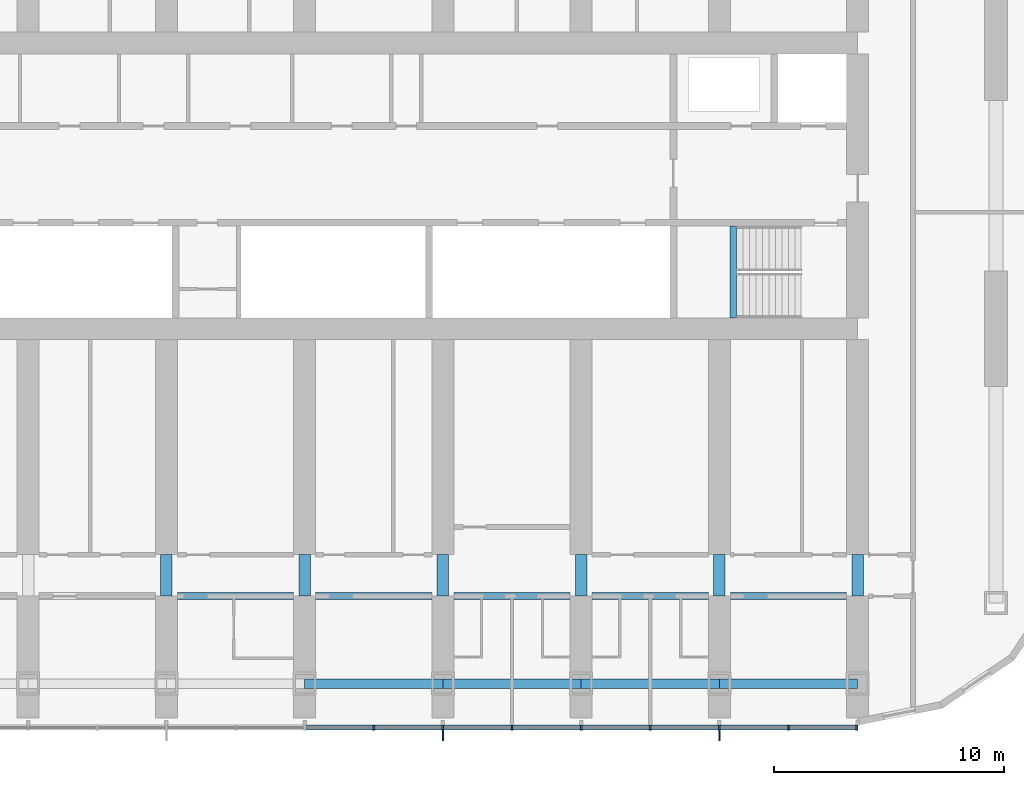
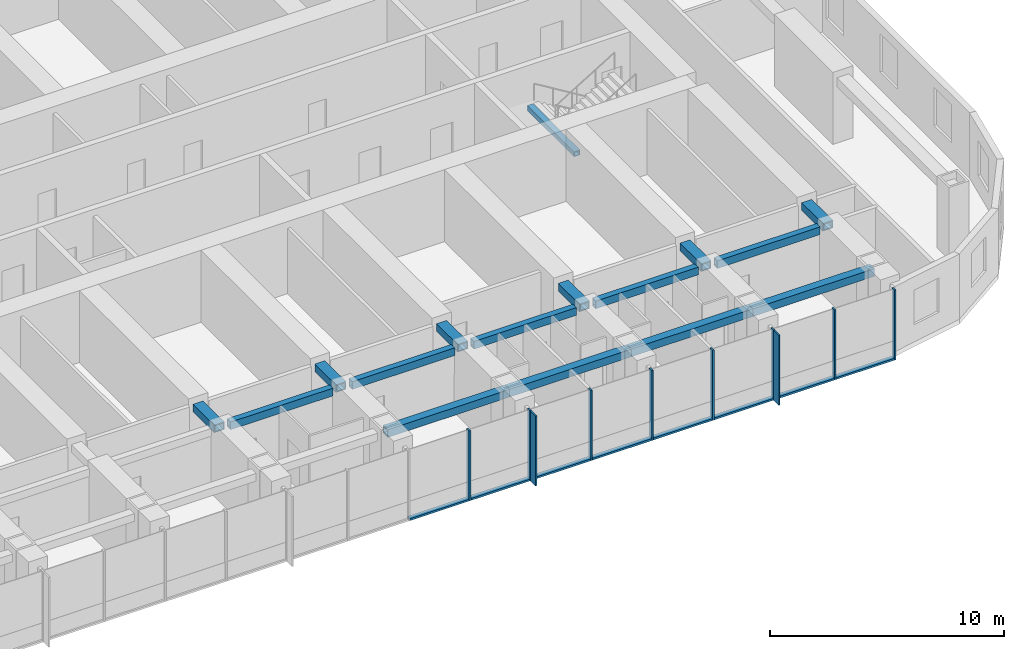
# One storey, part 3 of 20: 18 members, 16 beams, 1 element without a shape of its own.
"""IFC4 building model written with IfcOpenShell, lengths in metres."""

from ifc_helpers import new_model, si_unit, direction, frame, origin, origin_2d, place, context, subcontext, project, spatial, rectangle, hollow_rectangle, extrude, material, material_profile, profile_set, type_object, element, aggregate, save


model = new_model("IFC4")

# Units and contexts
model_context = context("Model", 3, precision=1e-05, world=origin(), true_north=direction((0.0, 1.0)))
body_context = subcontext(model_context, "Body", "Model", "MODEL_VIEW")
ifc_project = project(units=[si_unit("LENGTHUNIT", "METRE"), si_unit("AREAUNIT", "SQUARE_METRE"), si_unit("VOLUMEUNIT", "CUBIC_METRE"), si_unit("PLANEANGLEUNIT", "RADIAN"), si_unit("MASSUNIT", "GRAM", prefix="KILO")], contexts=[model_context])

# Site, building, storey
site_placement = place(None, origin())
site = spatial("IfcSite", under=ifc_project, at=site_placement, CompositionType="ELEMENT")
building_placement = place(site_placement, origin())
building = spatial("IfcBuilding", under=site, at=building_placement, Name="Orbita Commons", CompositionType="ELEMENT")
storey_placement = place(building_placement, frame((0.0, 0.0, 129.39990234375)))
storey = spatial("IfcBuildingStorey", under=building, at=storey_placement, Name="L32", CompositionType="ELEMENT", Elevation=129.39990234375)

# Curtain wall, members
ifc_material_1 = material(Name="Anodised aluminium frame, pale silver", Category="aluminium")
curtain_wall_type = type_object("IfcCurtainWallType", Name="Unitised curtain wall CW-T, vision and spandrel", PredefinedType="NOTDEFINED", material=ifc_material_1)
curtain_wall_placement = place(storey_placement, origin())
curtain_wall = element("IfcCurtainWall", 1, at=curtain_wall_placement, inside=storey, type_object=curtain_wall_type, Name="Curtain wall south L32", PredefinedType="NOTDEFINED")
ifc_material_2 = material(Name="Anodised aluminium, pale silver", Category="aluminium")
ifc_material_profile_1 = material_profile(ifc_material_2, rectangle(XDim=0.080078125, YDim=0.219970703125, at=origin_2d()), Name="AL 80x220")
ifc_profile_set_1 = profile_set([ifc_material_profile_1], Name="Anodised aluminium, pale silver")
member_type_1 = type_object("IfcMemberType", Name="Curtain wall mullion 80x220", PredefinedType="MULLION", material=ifc_profile_set_1)
member_1_placement = place(storey_placement, frame((45.0, 8.489990234375, -0.25), z_axis=(0.0, 0.0, 1.0), x_axis=(1.0, 0.0, 0.0)))
member_1 = element("IfcMember", 2, at=member_1_placement, type_object=member_type_1, Name="Mullion 12 CW-L32-S", PredefinedType="MULLION", context=body_context, shape_type="SweptSolid", body=[
    extrude(rectangle(XDim=0.080078125, YDim=0.219970703125, at=origin_2d()), origin(), (0.0, 0.0, 1.0), 3.650146484375),
])
member_2_placement = place(storey_placement, frame((48.0, 8.489990234375, -0.25), z_axis=(0.0, 0.0, 1.0), x_axis=(1.0, 0.0, 0.0)))
member_2 = element("IfcMember", 3, at=member_2_placement, type_object=member_type_1, Name="Mullion 13 CW-L32-S", PredefinedType="MULLION", context=body_context, shape_type="SweptSolid", body=[
    extrude(rectangle(XDim=0.080078125, YDim=0.219970703125, at=origin_2d()), origin(), (0.0, 0.0, 1.0), 3.650146484375),
])
member_3_placement = place(storey_placement, frame((51.0, 8.489990234375, -0.25), z_axis=(0.0, 0.0, 1.0), x_axis=(1.0, 0.0, 0.0)))
member_3 = element("IfcMember", 4, at=member_3_placement, type_object=member_type_1, Name="Mullion 14 CW-L32-S", PredefinedType="MULLION", context=body_context, shape_type="SweptSolid", body=[
    extrude(rectangle(XDim=0.080078125, YDim=0.219970703125, at=origin_2d()), origin(), (0.0, 0.0, 1.0), 3.650146484375),
])
member_4_placement = place(storey_placement, frame((54.0, 8.489990234375, -0.25), z_axis=(0.0, 0.0, 1.0), x_axis=(1.0, 0.0, 0.0)))
member_4 = element("IfcMember", 5, at=member_4_placement, type_object=member_type_1, Name="Mullion 15 CW-L32-S", PredefinedType="MULLION", context=body_context, shape_type="SweptSolid", body=[
    extrude(rectangle(XDim=0.080078125, YDim=0.219970703125, at=origin_2d()), origin(), (0.0, 0.0, 1.0), 3.650146484375),
])
member_5_placement = place(storey_placement, frame((57.0, 8.489990234375, -0.25), z_axis=(0.0, 0.0, 1.0), x_axis=(1.0, 0.0, 0.0)))
member_5 = element("IfcMember", 6, at=member_5_placement, type_object=member_type_1, Name="Mullion 16 CW-L32-S", PredefinedType="MULLION", context=body_context, shape_type="SweptSolid", body=[
    extrude(rectangle(XDim=0.080078125, YDim=0.219970703125, at=origin_2d()), origin(), (0.0, 0.0, 1.0), 3.650146484375),
])
member_6_placement = place(storey_placement, frame((60.0, 8.489990234375, -0.25), z_axis=(0.0, 0.0, 1.0), x_axis=(1.0, 0.0, 0.0)))
member_6 = element("IfcMember", 7, at=member_6_placement, type_object=member_type_1, Name="Mullion 17 CW-L32-S", PredefinedType="MULLION", context=body_context, shape_type="SweptSolid", body=[
    extrude(rectangle(XDim=0.080078125, YDim=0.219970703125, at=origin_2d()), origin(), (0.0, 0.0, 1.0), 3.650146484375),
])
member_7_placement = place(storey_placement, frame((63.0, 8.489990234375, -0.25), z_axis=(0.0, 0.0, 1.0), x_axis=(1.0, 0.0, 0.0)))
member_7 = element("IfcMember", 8, at=member_7_placement, type_object=member_type_1, Name="Mullion 18 CW-L32-S", PredefinedType="MULLION", context=body_context, shape_type="SweptSolid", body=[
    extrude(rectangle(XDim=0.080078125, YDim=0.219970703125, at=origin_2d()), origin(), (0.0, 0.0, 1.0), 3.650146484375),
])
member_8_placement = place(storey_placement, frame((65.9599609375, 8.489990234375, -0.25), z_axis=(0.0, 0.0, 1.0), x_axis=(1.0, 0.0, 0.0)))
member_8 = element("IfcMember", 9, at=member_8_placement, type_object=member_type_1, Name="Mullion 19 CW-L32-S", PredefinedType="MULLION", context=body_context, shape_type="SweptSolid", body=[
    extrude(rectangle(XDim=0.080078125, YDim=0.219970703125, at=origin_2d()), origin(), (0.0, 0.0, 1.0), 3.650146484375),
])
ifc_material_3 = material(Name="Anodised aluminium, pale silver", Category="aluminium")
ifc_material_profile_2 = material_profile(ifc_material_3, rectangle(XDim=0.219970703125, YDim=0.10009765625, at=origin_2d()), Name="AL 220x100")
ifc_profile_set_2 = profile_set([ifc_material_profile_2], Name="Anodised aluminium, pale silver")
member_type_2 = type_object("IfcMemberType", Name="Curtain wall stack transom 220x100", PredefinedType="USERDEFINED", material=ifc_profile_set_2)
member_9_placement = place(storey_placement, frame((42.0400390625, 8.489990234375, -0.199951171875), z_axis=(1.0, 0.0, 0.0), x_axis=(0.0, 1.0, 0.0)))
member_9 = element("IfcMember", 10, at=member_9_placement, type_object=member_type_2, Name="Transom 11.1 CW-L32-S", ObjectType="TRANSOM", PredefinedType="USERDEFINED", context=body_context, shape_type="SweptSolid", body=[
    extrude(rectangle(XDim=0.219970703125, YDim=0.10009765625, at=origin_2d()), origin(), (0.0, 0.0, 1.0), 2.919921875),
])
member_10_placement = place(storey_placement, frame((45.0400390625, 8.489990234375, -0.199951171875), z_axis=(1.0, 0.0, 0.0), x_axis=(0.0, 1.0, 0.0)))
member_10 = element("IfcMember", 11, at=member_10_placement, type_object=member_type_2, Name="Transom 12.1 CW-L32-S", ObjectType="TRANSOM", PredefinedType="USERDEFINED", context=body_context, shape_type="SweptSolid", body=[
    extrude(rectangle(XDim=0.219970703125, YDim=0.10009765625, at=origin_2d()), origin(), (0.0, 0.0, 1.0), 2.919921875),
])
member_11_placement = place(storey_placement, frame((48.0400390625, 8.489990234375, -0.199951171875), z_axis=(1.0, 0.0, 0.0), x_axis=(0.0, 1.0, 0.0)))
member_11 = element("IfcMember", 12, at=member_11_placement, type_object=member_type_2, Name="Transom 13.1 CW-L32-S", ObjectType="TRANSOM", PredefinedType="USERDEFINED", context=body_context, shape_type="SweptSolid", body=[
    extrude(rectangle(XDim=0.219970703125, YDim=0.10009765625, at=origin_2d()), origin(), (0.0, 0.0, 1.0), 2.919921875),
])
member_12_placement = place(storey_placement, frame((51.0400390625, 8.489990234375, -0.199951171875), z_axis=(1.0, 0.0, 0.0), x_axis=(0.0, 1.0, 0.0)))
member_12 = element("IfcMember", 13, at=member_12_placement, type_object=member_type_2, Name="Transom 14.1 CW-L32-S", ObjectType="TRANSOM", PredefinedType="USERDEFINED", context=body_context, shape_type="SweptSolid", body=[
    extrude(rectangle(XDim=0.219970703125, YDim=0.10009765625, at=origin_2d()), origin(), (0.0, 0.0, 1.0), 2.919921875),
])
member_13_placement = place(storey_placement, frame((54.0400390625, 8.489990234375, -0.199951171875), z_axis=(1.0, 0.0, 0.0), x_axis=(0.0, 1.0, 0.0)))
member_13 = element("IfcMember", 14, at=member_13_placement, type_object=member_type_2, Name="Transom 15.1 CW-L32-S", ObjectType="TRANSOM", PredefinedType="USERDEFINED", context=body_context, shape_type="SweptSolid", body=[
    extrude(rectangle(XDim=0.219970703125, YDim=0.10009765625, at=origin_2d()), origin(), (0.0, 0.0, 1.0), 2.919921875),
])
member_14_placement = place(storey_placement, frame((57.0400390625, 8.489990234375, -0.199951171875), z_axis=(1.0, 0.0, 0.0), x_axis=(0.0, 1.0, 0.0)))
member_14 = element("IfcMember", 15, at=member_14_placement, type_object=member_type_2, Name="Transom 16.1 CW-L32-S", ObjectType="TRANSOM", PredefinedType="USERDEFINED", context=body_context, shape_type="SweptSolid", body=[
    extrude(rectangle(XDim=0.219970703125, YDim=0.10009765625, at=origin_2d()), origin(), (0.0, 0.0, 1.0), 2.919921875),
])
member_15_placement = place(storey_placement, frame((60.0400390625, 8.489990234375, -0.199951171875), z_axis=(1.0, 0.0, 0.0), x_axis=(0.0, 1.0, 0.0)))
member_15 = element("IfcMember", 16, at=member_15_placement, type_object=member_type_2, Name="Transom 17.1 CW-L32-S", ObjectType="TRANSOM", PredefinedType="USERDEFINED", context=body_context, shape_type="SweptSolid", body=[
    extrude(rectangle(XDim=0.219970703125, YDim=0.10009765625, at=origin_2d()), origin(), (0.0, 0.0, 1.0), 2.919921875),
])
member_16_placement = place(storey_placement, frame((63.0400390625, 8.489990234375, -0.199951171875), z_axis=(1.0, 0.0, 0.0), x_axis=(0.0, 1.0, 0.0)))
member_16 = element("IfcMember", 17, at=member_16_placement, type_object=member_type_2, Name="Transom 18.1 CW-L32-S", ObjectType="TRANSOM", PredefinedType="USERDEFINED", context=body_context, shape_type="SweptSolid", body=[
    extrude(rectangle(XDim=0.219970703125, YDim=0.10009765625, at=origin_2d()), origin(), (0.0, 0.0, 1.0), 2.8798828125),
])

# Beams
ifc_material_4 = material(Name="Steel ASTM A572 Gr 50 welded plate", Category="steel")
ifc_material_profile_3 = material_profile(ifc_material_4, hollow_rectangle(XDim=0.300048828125, YDim=0.25, WallThickness=0.02490234375, at=origin_2d()), Name="BOX 250x300x25")
ifc_profile_set_3 = profile_set([ifc_material_profile_3], Name="Steel ASTM A572 Gr 50 welded plate")
beam_type_1 = type_object("IfcBeamType", Name="Stair landing beam steel BOX 250x300x25", PredefinedType="BEAM", material=ifc_profile_set_3)
beam_placement = place(storey_placement, frame((60.60009765625, 26.260009765625, 1.550048828125), z_axis=(0.0, 1.0, 0.0), x_axis=(-1.0, 0.0, 0.0)))
element("IfcBeam", 18, at=beam_placement, inside=storey, type_object=beam_type_1, Name="Stair S2 landing beam L32 1", PredefinedType="BEAM", context=body_context, shape_type="SweptSolid", body=[
    extrude(hollow_rectangle(XDim=0.300048828125, YDim=0.25, WallThickness=0.02490234375, at=origin_2d()), origin(), (0.0, 0.0, 1.0), 4.0048828125),
])
ifc_material_5 = material(Name="Steel ASTM A572 Gr 50 welded plate", Category="steel")
ifc_material_profile_4 = material_profile(ifc_material_5, hollow_rectangle(XDim=0.300048828125, YDim=0.39990234375, WallThickness=0.0400390625, at=origin_2d()), Name="BOX 400x300x40")
ifc_profile_set_4 = profile_set([ifc_material_profile_4], Name="Steel ASTM A572 Gr 50 welded plate")
beam_type_2 = type_object("IfcBeamType", Name="Steel corridor link BOX 400x300x40", PredefinedType="BEAM", material=ifc_profile_set_4)
for number, where, z_axis, x_axis, name in (
    (19, (36.47509765625, 14.199951171875, 3.2001953125), (1.0, 0.0, 0.0), (0.0, 1.0, 0.0), "Corridor beam SA 7-8 L32"),
    (20, (42.47509765625, 14.199951171875, 3.2001953125), (1.0, 0.0, 0.0), (0.0, 1.0, 0.0), "Corridor beam SA 8-9 L32"),
    (21, (48.47509765625, 14.199951171875, 3.2001953125), (1.0, 0.0, 0.0), (0.0, 1.0, 0.0), "Corridor beam SA 9-10 L32"),
    (22, (54.47509765625, 14.199951171875, 3.2001953125), (1.0, 0.0, 0.0), (0.0, 1.0, 0.0), "Corridor beam SA 10-11 L32"),
    (23, (60.47509765625, 14.199951171875, 3.2001953125), (1.0, 0.0, 0.0), (0.0, 1.0, 0.0), "Corridor beam SA 11-12 L32"),
):
    element("IfcBeam", number, at=place(storey_placement, frame(where, z_axis=z_axis, x_axis=x_axis)), inside=storey, type_object=beam_type_2, Name=name, PredefinedType="BEAM", context=body_context, shape_type="SweptSolid", body=[
        extrude(hollow_rectangle(XDim=0.300048828125, YDim=0.39990234375, WallThickness=0.0400390625, at=origin_2d()), origin(), (0.0, 0.0, 1.0), 5.0498046875),
    ])
ifc_material_6 = material(Name="Steel ASTM A572 Gr 50 welded plate", Category="steel")
ifc_material_profile_5 = material_profile(ifc_material_6, hollow_rectangle(XDim=0.5, YDim=0.39990234375, WallThickness=0.050048828125, at=origin_2d()), Name="BOX 400x500x50")
ifc_profile_set_5 = profile_set([ifc_material_profile_5], Name="Steel ASTM A572 Gr 50 welded plate")
beam_type_3 = type_object("IfcBeamType", Name="Steel coupling link BOX 400x500x50", PredefinedType="LINTEL", material=ifc_profile_set_5)
for number, where, z_axis, x_axis, name in (
    (24, (36.0, 14.199951171875, 3.2001953125), (0.0, 1.0, 0.0), (-1.0, 0.0, 0.0), "Coupling beam 7 south L32"),
    (25, (42.0, 14.199951171875, 3.2001953125), (0.0, 1.0, 0.0), (-1.0, 0.0, 0.0), "Coupling beam 8 south L32"),
    (26, (48.0, 14.199951171875, 3.2001953125), (0.0, 1.0, 0.0), (-1.0, 0.0, 0.0), "Coupling beam 9 south L32"),
    (27, (54.0, 14.199951171875, 3.2001953125), (0.0, 1.0, 0.0), (-1.0, 0.0, 0.0), "Coupling beam 10 south L32"),
    (28, (60.0, 14.199951171875, 3.2001953125), (0.0, 1.0, 0.0), (-1.0, 0.0, 0.0), "Coupling beam 11 south L32"),
    (29, (66.0, 14.199951171875, 3.2001953125), (0.0, 1.0, 0.0), (-1.0, 0.0, 0.0), "Coupling beam 12 south L32"),
):
    element("IfcBeam", number, at=place(storey_placement, frame(where, z_axis=z_axis, x_axis=x_axis)), inside=storey, type_object=beam_type_3, Name=name, PredefinedType="LINTEL", context=body_context, shape_type="SweptSolid", body=[
        extrude(hollow_rectangle(XDim=0.5, YDim=0.39990234375, WallThickness=0.050048828125, at=origin_2d()), origin(), (0.0, 0.0, 1.0), 1.800048828125),
    ])
ifc_material_7 = material(Name="Steel ASTM A572 Gr 50 welded plate", Category="steel")
ifc_material_profile_6 = material_profile(ifc_material_7, hollow_rectangle(XDim=0.39990234375, YDim=0.39990234375, WallThickness=0.0400390625, at=origin_2d()), Name="BOX 400x400x40")
ifc_profile_set_6 = profile_set([ifc_material_profile_6], Name="Steel ASTM A572 Gr 50 welded plate")
beam_type_4 = type_object("IfcBeamType", Name="Steel spandrel BOX 400x400x40", PredefinedType="SPANDREL", material=ifc_profile_set_6)
for number, where, z_axis, x_axis, name in (
    (30, (42.0, 10.39990234375, 3.2001953125), (1.0, 0.0, 0.0), (0.0, 1.0, 0.0), "Spandrel beam B 8-9 L32"),
    (31, (48.0, 10.39990234375, 3.2001953125), (1.0, 0.0, 0.0), (0.0, 1.0, 0.0), "Spandrel beam B 9-10 L32"),
    (32, (54.0, 10.39990234375, 3.2001953125), (1.0, 0.0, 0.0), (0.0, 1.0, 0.0), "Spandrel beam B 10-11 L32"),
    (33, (60.0, 10.39990234375, 3.2001953125), (1.0, 0.0, 0.0), (0.0, 1.0, 0.0), "Spandrel beam B 11-12 L32"),
):
    element("IfcBeam", number, at=place(storey_placement, frame(where, z_axis=z_axis, x_axis=x_axis)), inside=storey, type_object=beam_type_4, Name=name, PredefinedType="SPANDREL", context=body_context, shape_type="SweptSolid", body=[
        extrude(hollow_rectangle(XDim=0.39990234375, YDim=0.39990234375, WallThickness=0.0400390625, at=origin_2d()), origin(), (0.0, 0.0, 1.0), 6.0),
    ])

# Member
ifc_material_8 = material(Name="Anodised aluminium, pale silver", Category="aluminium")
ifc_material_profile_7 = material_profile(ifc_material_8, rectangle(XDim=0.06005859375, YDim=0.449951171875, at=origin_2d()), Name="FIN 60x450")
ifc_profile_set_7 = profile_set([ifc_material_profile_7], Name="Anodised aluminium, pale silver")
member_type_3 = type_object("IfcMemberType", Name="Vertical fin 60x450 pale aluminium", PredefinedType="USERDEFINED", material=ifc_profile_set_7)
member_17_placement = place(storey_placement, frame((48.0, 8.155029296875, -0.25), z_axis=(0.0, 0.0, 1.0), x_axis=(1.0, 0.0, 0.0)))
member_17 = element("IfcMember", 34, at=member_17_placement, type_object=member_type_3, Name="Fin 13 CW-L32-S", ObjectType="FIN", PredefinedType="USERDEFINED", context=body_context, shape_type="SweptSolid", body=[
    extrude(rectangle(XDim=0.06005859375, YDim=0.449951171875, at=origin_2d()), origin(), (0.0, 0.0, 1.0), 3.650146484375),
])

member_18_placement = place(storey_placement, frame((60.0, 8.155029296875, -0.25), z_axis=(0.0, 0.0, 1.0), x_axis=(1.0, 0.0, 0.0)))
member_18 = element("IfcMember", 35, at=member_18_placement, type_object=member_type_3, Name="Fin 17 CW-L32-S", ObjectType="FIN", PredefinedType="USERDEFINED", context=body_context, shape_type="SweptSolid", body=[
    extrude(rectangle(XDim=0.06005859375, YDim=0.449951171875, at=origin_2d()), origin(), (0.0, 0.0, 1.0), 3.650146484375),
])

aggregate(curtain_wall, [member_1, member_2, member_17, member_3, member_4, member_5, member_6, member_18, member_7, member_8, member_9, member_10, member_11, member_12, member_13, member_14, member_15, member_16])

save(model, "model.ifc")
